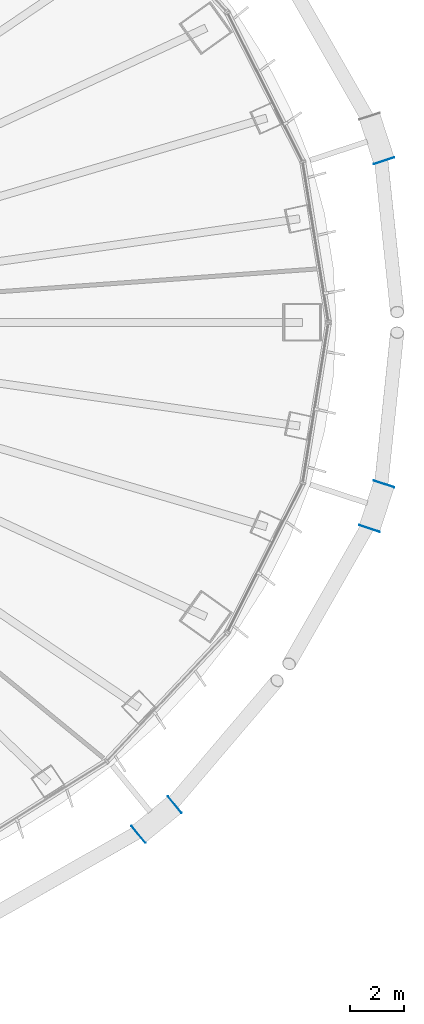
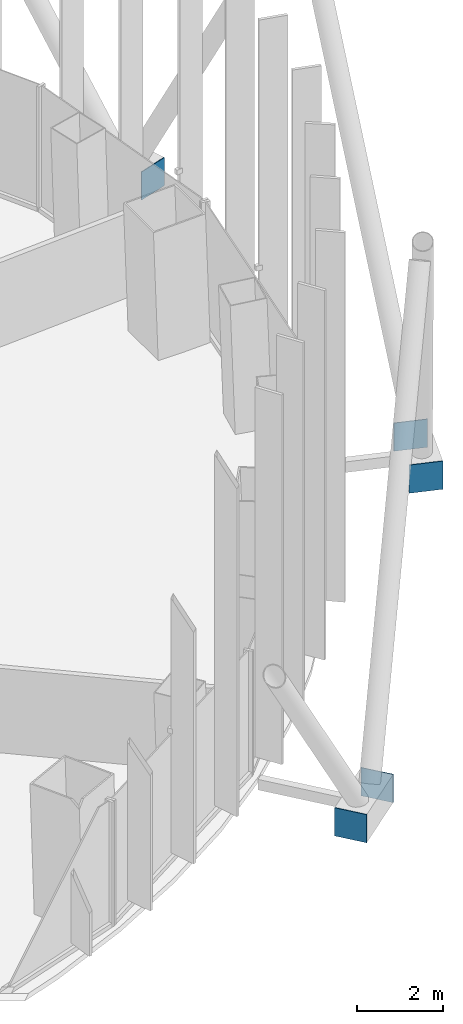
# One storey, part 12 of 22: 5 discrete accessories.
"""IFC4 building model written with IfcOpenShell, lengths in metres."""

from ifc_helpers import new_model, si_unit, direction, frame, origin, origin_2d, place, context, subcontext, project, spatial, rectangle, extrude, material, layer, layer_set, type_object, element, save


model = new_model("IFC4")

# Units and contexts
model_context = context("Model", 3, precision=1e-05, world=origin(), true_north=direction((0.0, 1.0)))
body_context = subcontext(model_context, "Body", "Model", "MODEL_VIEW")
ifc_project = project(units=[si_unit("LENGTHUNIT", "METRE"), si_unit("AREAUNIT", "SQUARE_METRE"), si_unit("VOLUMEUNIT", "CUBIC_METRE"), si_unit("PLANEANGLEUNIT", "RADIAN"), si_unit("MASSUNIT", "GRAM", prefix="KILO")], contexts=[model_context])

# Site, building, storey
site_placement = place(None, origin())
site = spatial("IfcSite", under=ifc_project, at=site_placement, CompositionType="ELEMENT")
building_placement = place(site_placement, origin())
building = spatial("IfcBuilding", under=site, at=building_placement, Name="Siaravel Broadcast Tower", CompositionType="ELEMENT")
storey_placement = place(building_placement, frame((0.0, 0.0, 37.10009765625)))
storey = spatial("IfcBuildingStorey", under=building, at=storey_placement, Name="L07", CompositionType="ELEMENT", Elevation=37.10009765625)

# Discrete accessories
ifc_material = material(Name="Steel S355", Category="steel")
ifc_layer = layer(ifc_material, 0.02001953125)
ifc_layer_set = layer_set([ifc_layer], Name="Steel S355")
discrete_accessory_type = type_object("IfcDiscreteAccessoryType", Name="Steel end plate 20 mm", PredefinedType="USERDEFINED", material=ifc_layer_set)
for number, where, z_axis, x_axis, name in (
    (1, (30.177490234375, 6.002685546875, -0.60009765625), (0.0, 0.0, 1.0), (-0.310910334, 0.950439248, 0.0), "End plate R04 station 03B"),
    (2, (22.4052734375, -17.9111328125, -0.60009765625), (0.0, 0.0, 1.0), (0.773604694, 0.633668508, 0.0), "End plate R04 station 63A"),
    (3, (21.05859375, -19.014404296875, -0.60009765625), (0.0, 0.0, 1.0), (0.773604694, 0.633668508, 0.0), "End plate R04 station 63B"),
    (4, (30.177490234375, -6.002685546875, -0.60009765625), (0.0, 0.0, 1.0), (0.310910334, 0.950439248, 0.0), "End plate R04 station 69A"),
    (5, (29.63623046875, -7.657470703125, -0.60009765625), (0.0, 0.0, 1.0), (0.310910334, 0.950439248, 0.0), "End plate R04 station 69B"),
):
    element("IfcDiscreteAccessory", number, at=place(storey_placement, frame(where, z_axis=z_axis, x_axis=x_axis)), inside=storey, type_object=discrete_accessory_type, Name=name, ObjectType="END PLATE", PredefinedType="USERDEFINED", context=body_context, shape_type="SweptSolid", body=[
        extrude(rectangle(XDim=0.02001953125, YDim=0.800048828125, at=origin_2d()), origin(), (0.0, 0.0, 1.0), 0.800048828125),
    ])

save(model, "model.ifc")
